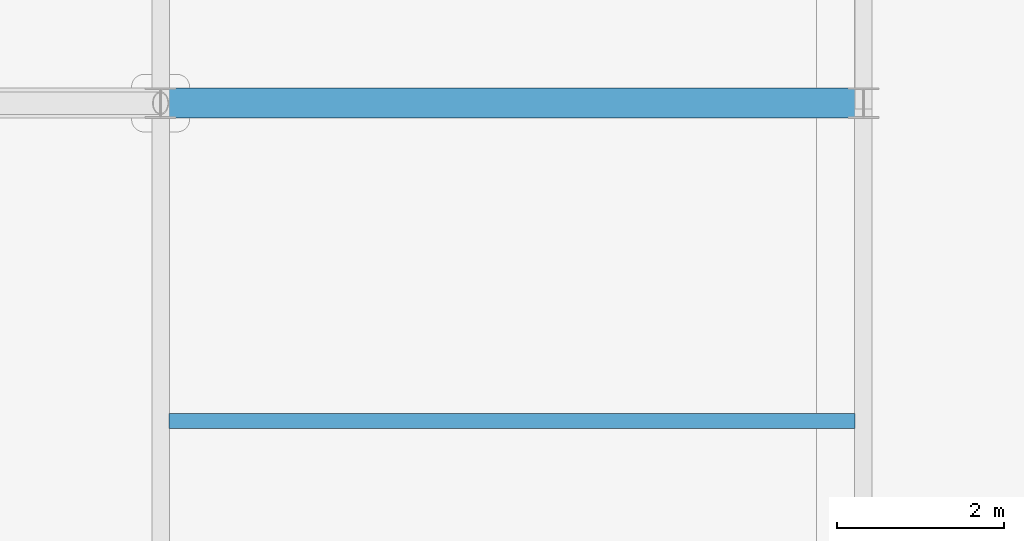
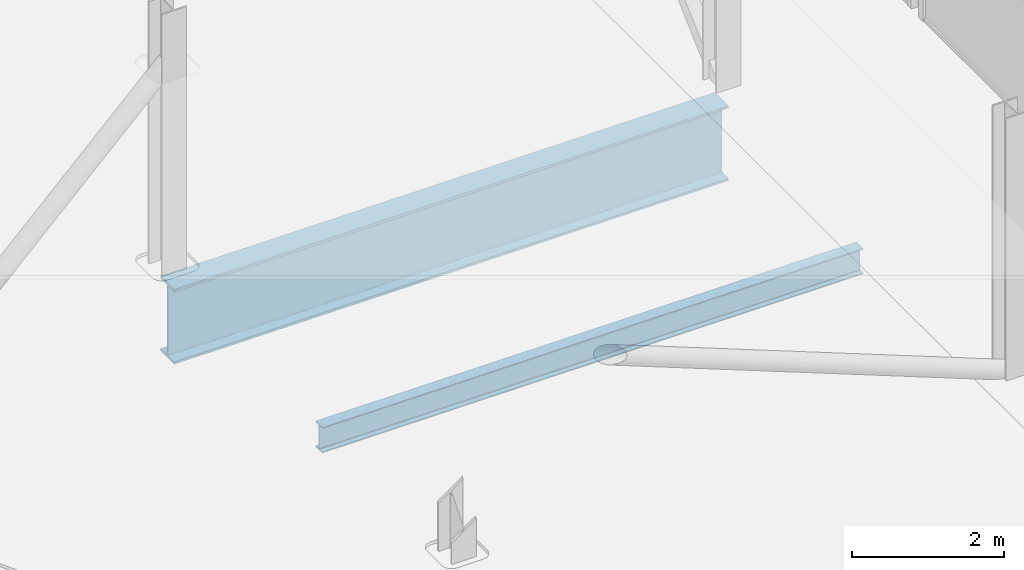
# One storey, part 23 of 217: 2 beams.
"""IFC4 building model written with IfcOpenShell, lengths in metres."""

from ifc_helpers import new_model, si_unit, direction, frame, origin, origin_2d, place, context, subcontext, project, spatial, i_section, extrude, material, material_profile, profile_set, type_object, element, save


model = new_model("IFC4")

# Units and contexts
model_context = context("Model", 3, precision=1e-05, world=origin(), true_north=direction((0.0, 1.0)))
body_context = subcontext(model_context, "Body", "Model", "MODEL_VIEW")
ifc_project = project(units=[si_unit("LENGTHUNIT", "METRE"), si_unit("AREAUNIT", "SQUARE_METRE"), si_unit("VOLUMEUNIT", "CUBIC_METRE"), si_unit("PLANEANGLEUNIT", "RADIAN"), si_unit("MASSUNIT", "GRAM", prefix="KILO")], contexts=[model_context])

# Site, building, storey
site_placement = place(None, origin())
site = spatial("IfcSite", under=ifc_project, at=site_placement, CompositionType="ELEMENT")
building_placement = place(site_placement, origin())
building = spatial("IfcBuilding", under=site, at=building_placement, Name="Zuvorla Pavilion Media Centre", CompositionType="ELEMENT")
storey_placement = place(building_placement, frame((0.0, 0.0, 9.60009765625)))
storey = spatial("IfcBuildingStorey", under=building, at=storey_placement, Name="L02", CompositionType="ELEMENT", Elevation=9.60009765625)

# Beams
ifc_material = material(Name="Steel S355", Category="steel")
ifc_material_profile_1 = material_profile(ifc_material, i_section(OverallWidth=0.360107421875, OverallDepth=1.199951171875, WebThickness=0.02001953125, FlangeThickness=0.0380859375, FilletRadius=0.02392578125, at=origin_2d()), Name="PG 1200x360x38")
ifc_profile_set_1 = profile_set([ifc_material_profile_1], Name="Steel S355")
beam_type_1 = type_object("IfcBeamType", Name="BM-PG1200", PredefinedType="BEAM", material=ifc_profile_set_1)
beam_1_placement = place(storey_placement, frame((24.800048828125, 59.199951171875, -0.8681640625), z_axis=(-1.0, 0.0, 0.0), x_axis=(0.0, -1.0, 0.0)))
element("IfcBeam", 1, at=beam_1_placement, inside=storey, type_object=beam_type_1, Name="L02 beam B01 1665", PredefinedType="BEAM", context=body_context, shape_type="SweptSolid", body=[
    extrude(i_section(OverallWidth=0.360107421875, OverallDepth=1.199951171875, WebThickness=0.02001953125, FlangeThickness=0.0380859375, FilletRadius=0.02392578125, at=origin_2d()), origin(), (0.0, 0.0, 1.0), 8.400146484375),
])
ifc_material_profile_2 = material_profile(ifc_material, i_section(OverallWidth=0.1787109375, OverallDepth=0.409423828125, WebThickness=0.0087890625, FlangeThickness=0.014404296875, FilletRadius=0.01025390625, at=origin_2d()), Name="UB 406x178x67")
ifc_profile_set_2 = profile_set([ifc_material_profile_2], Name="Steel S355")
beam_type_2 = type_object("IfcBeamType", Name="BM-UB406", PredefinedType="JOIST", material=ifc_profile_set_2)
beam_2_placement = place(storey_placement, frame((16.5, 55.39990234375, -0.472900390625), z_axis=(1.0, 0.0, 0.0), x_axis=(0.0, 1.0, 0.0)))
element("IfcBeam", 2, at=beam_2_placement, inside=storey, type_object=beam_type_2, Name="L02 joist J02 981", PredefinedType="JOIST", context=body_context, shape_type="SweptSolid", body=[
    extrude(i_section(OverallWidth=0.1787109375, OverallDepth=0.409423828125, WebThickness=0.0087890625, FlangeThickness=0.014404296875, FilletRadius=0.01025390625, at=origin_2d()), origin(), (0.0, 0.0, 1.0), 8.199951171875),
])

save(model, "model.ifc")
